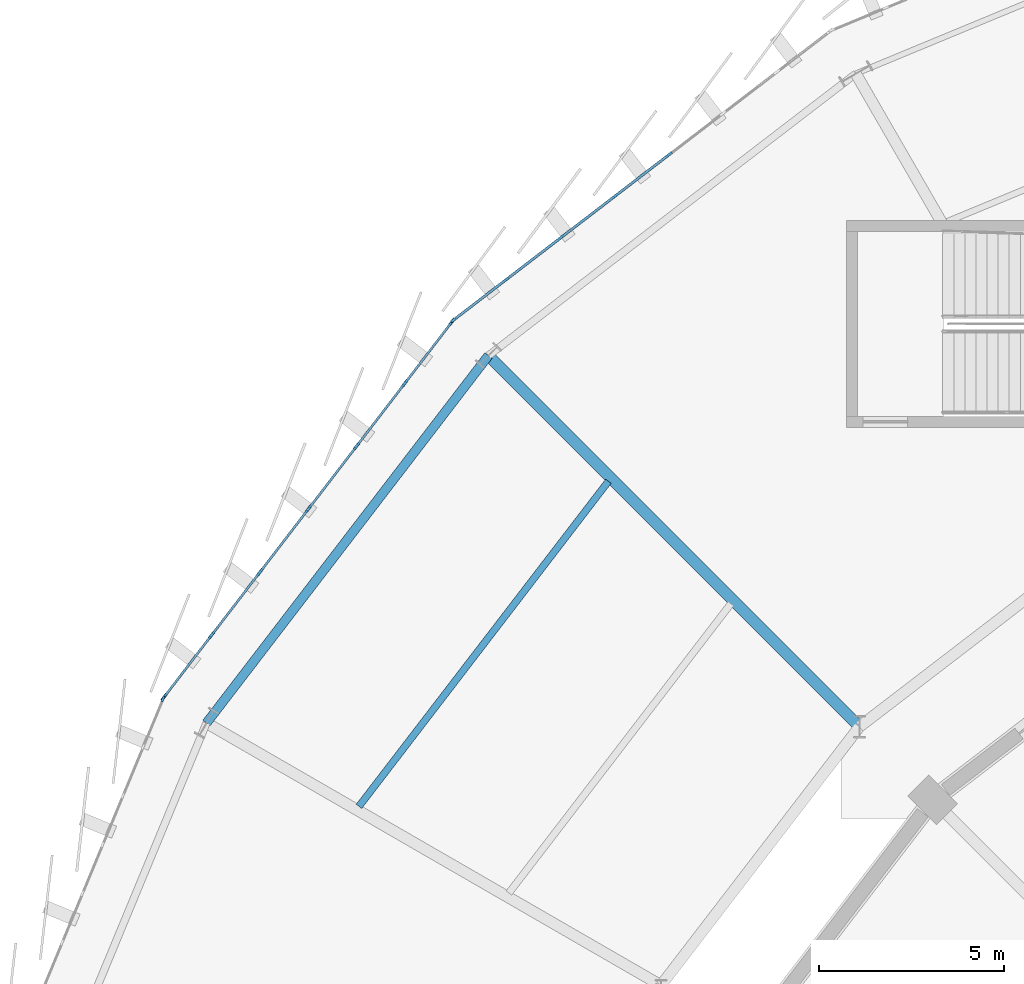
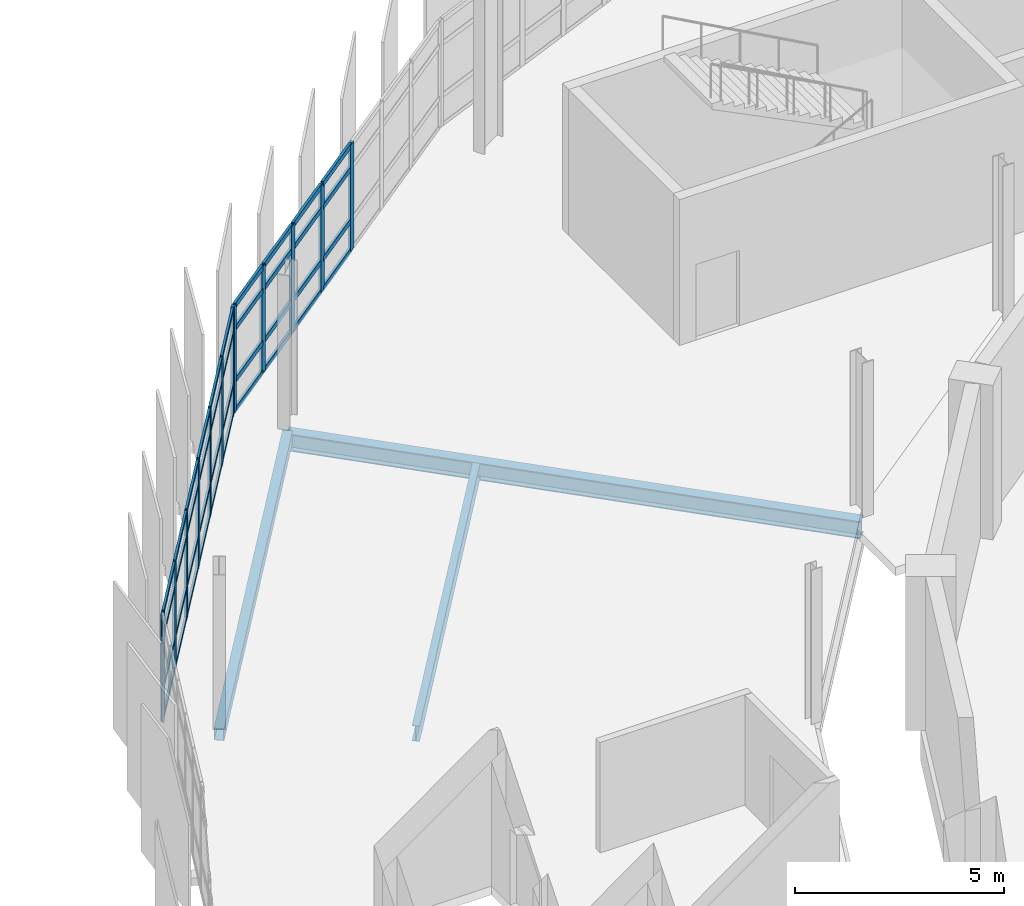
# One storey, part 30 of 87: 53 members, 3 beams, 3 elements without a shape of their own.
"""IFC4 building model written with IfcOpenShell, lengths in metres."""

from ifc_helpers import new_model, si_unit, direction, frame, origin, origin_2d, place, context, subcontext, project, spatial, rectangle, hollow_rectangle, i_section, extrude, material, layer, layer_set, material_profile, profile_set, type_object, element, aggregate, save


model = new_model("IFC4")

# Units and contexts
model_context = context("Model", 3, precision=1e-05, world=origin(), true_north=direction((0.0, 1.0)))
body_context = subcontext(model_context, "Body", "Model", "MODEL_VIEW")
ifc_project = project(units=[si_unit("LENGTHUNIT", "METRE"), si_unit("AREAUNIT", "SQUARE_METRE"), si_unit("VOLUMEUNIT", "CUBIC_METRE"), si_unit("PLANEANGLEUNIT", "RADIAN"), si_unit("MASSUNIT", "GRAM", prefix="KILO")], contexts=[model_context])

# Site, building, storey
site_placement = place(None, origin())
site = spatial("IfcSite", under=ifc_project, at=site_placement, CompositionType="ELEMENT")
building_placement = place(site_placement, origin())
building = spatial("IfcBuilding", under=site, at=building_placement, Name="Sohan Crest Arena", CompositionType="ELEMENT")
storey_placement = place(building_placement, frame((0.0, 0.0, 18.0)))
storey = spatial("IfcBuildingStorey", under=building, at=storey_placement, Name="L04", CompositionType="ELEMENT", Elevation=18.0)

# Curtain wall, member
ifc_material_1 = material(Name="Thermally broken anodised aluminium", Category="aluminium")
ifc_layer_1 = layer(ifc_material_1, 0.18994140625, Name="Thermally broken anodised aluminium")
ifc_layer_set_1 = layer_set([ifc_layer_1], Name="Thermally broken anodised aluminium")
curtain_wall_type_1 = type_object("IfcCurtainWallType", Name="ARC-CW05", PredefinedType="NOTDEFINED", material=ifc_layer_set_1)
curtain_wall_1_placement = place(storey_placement, origin())
curtain_wall_1 = element("IfcCurtainWall", 1, at=curtain_wall_1_placement, inside=storey, type_object=curtain_wall_type_1, Name="Unitised curtain wall CW-116", PredefinedType="NOTDEFINED")
ifc_material_profile_1 = material_profile(ifc_material_1, rectangle(XDim=0.06005859375, YDim=0.159912109375, at=origin_2d()), Name="ALU-MULL 60x160")
ifc_profile_set_1 = profile_set([ifc_material_profile_1], Name="Thermally broken anodised aluminium")
member_type_1 = type_object("IfcMemberType", Name="ARC-CW-ML01", PredefinedType="MULLION", material=ifc_profile_set_1)
member_1_placement = place(storey_placement, frame((55.25048828125, 102.647216796875, 0.0), z_axis=(0.0, 0.0, 1.0), x_axis=(0.923878704229, -0.382685432009, 0.0)))
member_1 = element("IfcMember", 2, at=member_1_placement, type_object=member_type_1, Name="CW-116 mullion 1", PredefinedType="MULLION", context=body_context, shape_type="SweptSolid", body=[
    extrude(rectangle(XDim=0.06005859375, YDim=0.159912109375, at=origin_2d()), origin(), (0.0, 0.0, 1.0), 3.1201171875),
])
aggregate(curtain_wall_1, [member_1])

# Curtain wall, members
ifc_layer_2 = layer(ifc_material_1, 0.219970703125, Name="Thermally broken anodised aluminium")
ifc_layer_set_2 = layer_set([ifc_layer_2], Name="Thermally broken anodised aluminium")
curtain_wall_type_2 = type_object("IfcCurtainWallType", Name="ARC-CW03", PredefinedType="NOTDEFINED", material=ifc_layer_set_2)
curtain_wall_2_placement = place(storey_placement, origin())
curtain_wall_2 = element("IfcCurtainWall", 3, at=curtain_wall_2_placement, inside=storey, type_object=curtain_wall_type_2, Name="Unitised curtain wall CW-114", PredefinedType="NOTDEFINED")
ifc_material_profile_2 = material_profile(ifc_material_1, rectangle(XDim=0.070068359375, YDim=0.199951171875, at=origin_2d()), Name="ALU-MULL 70x200")
ifc_profile_set_2 = profile_set([ifc_material_profile_2], Name="Thermally broken anodised aluminium")
member_type_2 = type_object("IfcMemberType", Name="ARC-CW-ML03", PredefinedType="MULLION", material=ifc_profile_set_2)
member_2_placement = place(storey_placement, frame((68.944580078125, 117.377197265625, 0.0), z_axis=(0.0, 0.0, 1.0), x_axis=(0.60871994181, -0.793385172815, 0.0)))
member_2 = element("IfcMember", 4, at=member_2_placement, type_object=member_type_2, Name="CW-114 mullion 4", PredefinedType="MULLION", context=body_context, shape_type="SweptSolid", body=[
    extrude(rectangle(XDim=0.070068359375, YDim=0.199951171875, at=origin_2d()), origin(), (0.0, 0.0, 1.0), 3.1201171875),
])
member_3_placement = place(storey_placement, frame((67.484375, 116.2568359375, 0.0), z_axis=(0.0, 0.0, 1.0), x_axis=(0.60871994181, -0.793385172815, 0.0)))
member_3 = element("IfcMember", 5, at=member_3_placement, type_object=member_type_2, Name="CW-114 mullion 5", PredefinedType="MULLION", context=body_context, shape_type="SweptSolid", body=[
    extrude(rectangle(XDim=0.070068359375, YDim=0.199951171875, at=origin_2d()), origin(), (0.0, 0.0, 1.0), 3.1201171875),
])
member_4_placement = place(storey_placement, frame((66.024169921875, 115.136474609375, 0.0), z_axis=(0.0, 0.0, 1.0), x_axis=(0.60871994181, -0.793385172815, 0.0)))
member_4 = element("IfcMember", 6, at=member_4_placement, type_object=member_type_2, Name="CW-114 mullion 6", PredefinedType="MULLION", context=body_context, shape_type="SweptSolid", body=[
    extrude(rectangle(XDim=0.070068359375, YDim=0.199951171875, at=origin_2d()), origin(), (0.0, 0.0, 1.0), 3.1201171875),
])
member_5_placement = place(storey_placement, frame((64.564208984375, 114.016357421875, 0.0), z_axis=(0.0, 0.0, 1.0), x_axis=(0.60871994181, -0.793385172815, 0.0)))
member_5 = element("IfcMember", 7, at=member_5_placement, type_object=member_type_2, Name="CW-114 mullion 7", PredefinedType="MULLION", context=body_context, shape_type="SweptSolid", body=[
    extrude(rectangle(XDim=0.070068359375, YDim=0.199951171875, at=origin_2d()), origin(), (0.0, 0.0, 1.0), 3.1201171875),
])
member_6_placement = place(storey_placement, frame((63.1318359375, 112.917236328125, 0.0), z_axis=(0.0, 0.0, 1.0), x_axis=(0.60871994181, -0.793385172815, 0.0)))
member_6 = element("IfcMember", 8, at=member_6_placement, type_object=member_type_2, Name="CW-114 mullion 8", PredefinedType="MULLION", context=body_context, shape_type="SweptSolid", body=[
    extrude(rectangle(XDim=0.070068359375, YDim=0.199951171875, at=origin_2d()), origin(), (0.0, 0.0, 1.0), 3.1201171875),
])

ifc_layer_3 = layer(ifc_material_1, 0.239990234375, Name="Thermally broken anodised aluminium")
ifc_layer_set_3 = layer_set([ifc_layer_3], Name="Thermally broken anodised aluminium")
curtain_wall_type_3 = type_object("IfcCurtainWallType", Name="ARC-CW04", PredefinedType="NOTDEFINED", material=ifc_layer_set_3)
curtain_wall_3_placement = place(storey_placement, origin())
curtain_wall_3 = element("IfcCurtainWall", 9, at=curtain_wall_3_placement, inside=storey, type_object=curtain_wall_type_3, Name="Unitised curtain wall CW-115", PredefinedType="NOTDEFINED")
ifc_material_profile_3 = material_profile(ifc_material_1, rectangle(XDim=0.074951171875, YDim=0.219970703125, at=origin_2d()), Name="ALU-MULL 75x220")
ifc_profile_set_3 = profile_set([ifc_material_profile_3], Name="Thermally broken anodised aluminium")
member_type_3 = type_object("IfcMemberType", Name="ARC-CW-ML04", PredefinedType="MULLION", material=ifc_profile_set_3)
member_7_placement = place(storey_placement, frame((63.0810546875, 112.8662109375, 0.0), z_axis=(0.0, 0.0, 1.0), x_axis=(0.793385172815, -0.60871994181, 0.0)))
member_7 = element("IfcMember", 10, at=member_7_placement, type_object=member_type_3, Name="CW-115 mullion 1", PredefinedType="MULLION", context=body_context, shape_type="SweptSolid", body=[
    extrude(rectangle(XDim=0.074951171875, YDim=0.219970703125, at=origin_2d()), origin(), (0.0, 0.0, 1.0), 3.1201171875),
])
member_8_placement = place(storey_placement, frame((61.797119140625, 111.1923828125, 0.0), z_axis=(0.0, 0.0, 1.0), x_axis=(0.793385172815, -0.60871994181, 0.0)))
member_8 = element("IfcMember", 11, at=member_8_placement, type_object=member_type_3, Name="CW-115 mullion 2", PredefinedType="MULLION", context=body_context, shape_type="SweptSolid", body=[
    extrude(rectangle(XDim=0.074951171875, YDim=0.219970703125, at=origin_2d()), origin(), (0.0, 0.0, 1.0), 3.1201171875),
])
member_9_placement = place(storey_placement, frame((60.489990234375, 109.489013671875, 0.0), z_axis=(0.0, 0.0, 1.0), x_axis=(0.793385172815, -0.60871994181, 0.0)))
member_9 = element("IfcMember", 12, at=member_9_placement, type_object=member_type_3, Name="CW-115 mullion 3", PredefinedType="MULLION", context=body_context, shape_type="SweptSolid", body=[
    extrude(rectangle(XDim=0.074951171875, YDim=0.219970703125, at=origin_2d()), origin(), (0.0, 0.0, 1.0), 3.1201171875),
])
member_10_placement = place(storey_placement, frame((59.18310546875, 107.785400390625, 0.0), z_axis=(0.0, 0.0, 1.0), x_axis=(0.793385172815, -0.60871994181, 0.0)))
member_10 = element("IfcMember", 13, at=member_10_placement, type_object=member_type_3, Name="CW-115 mullion 4", PredefinedType="MULLION", context=body_context, shape_type="SweptSolid", body=[
    extrude(rectangle(XDim=0.074951171875, YDim=0.219970703125, at=origin_2d()), origin(), (0.0, 0.0, 1.0), 3.1201171875),
])
member_11_placement = place(storey_placement, frame((57.8759765625, 106.08203125, 0.0), z_axis=(0.0, 0.0, 1.0), x_axis=(0.793385172815, -0.60871994181, 0.0)))
member_11 = element("IfcMember", 14, at=member_11_placement, type_object=member_type_3, Name="CW-115 mullion 5", PredefinedType="MULLION", context=body_context, shape_type="SweptSolid", body=[
    extrude(rectangle(XDim=0.074951171875, YDim=0.219970703125, at=origin_2d()), origin(), (0.0, 0.0, 1.0), 3.1201171875),
])
member_12_placement = place(storey_placement, frame((56.569091796875, 104.37841796875, 0.0), z_axis=(0.0, 0.0, 1.0), x_axis=(0.793385172815, -0.60871994181, 0.0)))
member_12 = element("IfcMember", 15, at=member_12_placement, type_object=member_type_3, Name="CW-115 mullion 6", PredefinedType="MULLION", context=body_context, shape_type="SweptSolid", body=[
    extrude(rectangle(XDim=0.074951171875, YDim=0.219970703125, at=origin_2d()), origin(), (0.0, 0.0, 1.0), 3.1201171875),
])
member_13_placement = place(storey_placement, frame((55.284912109375, 102.704833984375, 0.0), z_axis=(0.0, 0.0, 1.0), x_axis=(0.793385172815, -0.60871994181, 0.0)))
member_13 = element("IfcMember", 16, at=member_13_placement, type_object=member_type_3, Name="CW-115 mullion 7", PredefinedType="MULLION", context=body_context, shape_type="SweptSolid", body=[
    extrude(rectangle(XDim=0.074951171875, YDim=0.219970703125, at=origin_2d()), origin(), (0.0, 0.0, 1.0), 3.1201171875),
])
ifc_material_profile_4 = material_profile(ifc_material_1, rectangle(XDim=0.06005859375, YDim=0.1201171875, at=origin_2d()), Name="ALU-TRAN 60x120")
ifc_profile_set_4 = profile_set([ifc_material_profile_4], Name="Thermally broken anodised aluminium")
member_type_4 = type_object("IfcMemberType", Name="ARC-CW-TR01", PredefinedType="USERDEFINED", material=ifc_profile_set_4)
member_14_placement = place(storey_placement, frame((63.058349609375, 112.83642578125, 0.030029296875), z_axis=(-0.60871867817, -0.793386142334, 0.0), x_axis=(0.793386142334, -0.60871867817, 0.0)))
member_14 = element("IfcMember", 17, at=member_14_placement, type_object=member_type_4, Name="CW-115 transom 1.1", ObjectType="TRANSOM", PredefinedType="USERDEFINED", context=body_context, shape_type="SweptSolid", body=[
    extrude(rectangle(XDim=0.06005859375, YDim=0.1201171875, at=origin_2d()), origin(), (0.0, 0.0, 1.0), 2.03466796875),
])
member_15_placement = place(storey_placement, frame((63.058349609375, 112.83642578125, 0.89990234375), z_axis=(-0.60871867817, -0.793386142334, 0.0), x_axis=(0.793386142334, -0.60871867817, 0.0)))
member_15 = element("IfcMember", 18, at=member_15_placement, type_object=member_type_4, Name="CW-115 transom 1.2", ObjectType="TRANSOM", PredefinedType="USERDEFINED", context=body_context, shape_type="SweptSolid", body=[
    extrude(rectangle(XDim=0.06005859375, YDim=0.1201171875, at=origin_2d()), origin(), (0.0, 0.0, 1.0), 2.03466796875),
])
member_16_placement = place(storey_placement, frame((63.058349609375, 112.83642578125, 2.419921875), z_axis=(-0.60871867817, -0.793386142334, 0.0), x_axis=(0.793386142334, -0.60871867817, 0.0)))
member_16 = element("IfcMember", 19, at=member_16_placement, type_object=member_type_4, Name="CW-115 transom 1.3", ObjectType="TRANSOM", PredefinedType="USERDEFINED", context=body_context, shape_type="SweptSolid", body=[
    extrude(rectangle(XDim=0.06005859375, YDim=0.1201171875, at=origin_2d()), origin(), (0.0, 0.0, 1.0), 2.03466796875),
])
member_17_placement = place(storey_placement, frame((63.058349609375, 112.83642578125, 3.090087890625), z_axis=(-0.60871867817, -0.793386142334, 0.0), x_axis=(0.793386142334, -0.60871867817, 0.0)))
member_17 = element("IfcMember", 20, at=member_17_placement, type_object=member_type_4, Name="CW-115 transom 1.4", ObjectType="TRANSOM", PredefinedType="USERDEFINED", context=body_context, shape_type="SweptSolid", body=[
    extrude(rectangle(XDim=0.06005859375, YDim=0.1201171875, at=origin_2d()), origin(), (0.0, 0.0, 1.0), 2.03466796875),
])
member_18_placement = place(storey_placement, frame((61.774169921875, 111.162841796875, 0.030029296875), z_axis=(-0.608673922407, -0.793420478802, 0.0), x_axis=(0.793420478802, -0.608673922407, 0.0)))
member_18 = element("IfcMember", 21, at=member_18_placement, type_object=member_type_4, Name="CW-115 transom 2.1", ObjectType="TRANSOM", PredefinedType="USERDEFINED", context=body_context, shape_type="SweptSolid", body=[
    extrude(rectangle(XDim=0.06005859375, YDim=0.1201171875, at=origin_2d()), origin(), (0.0, 0.0, 1.0), 2.072021484375),
])
member_19_placement = place(storey_placement, frame((61.774169921875, 111.162841796875, 0.89990234375), z_axis=(-0.608673922407, -0.793420478802, 0.0), x_axis=(0.793420478802, -0.608673922407, 0.0)))
member_19 = element("IfcMember", 22, at=member_19_placement, type_object=member_type_4, Name="CW-115 transom 2.2", ObjectType="TRANSOM", PredefinedType="USERDEFINED", context=body_context, shape_type="SweptSolid", body=[
    extrude(rectangle(XDim=0.06005859375, YDim=0.1201171875, at=origin_2d()), origin(), (0.0, 0.0, 1.0), 2.072021484375),
])
member_20_placement = place(storey_placement, frame((61.774169921875, 111.162841796875, 2.419921875), z_axis=(-0.608673922407, -0.793420478802, 0.0), x_axis=(0.793420478802, -0.608673922407, 0.0)))
member_20 = element("IfcMember", 23, at=member_20_placement, type_object=member_type_4, Name="CW-115 transom 2.3", ObjectType="TRANSOM", PredefinedType="USERDEFINED", context=body_context, shape_type="SweptSolid", body=[
    extrude(rectangle(XDim=0.06005859375, YDim=0.1201171875, at=origin_2d()), origin(), (0.0, 0.0, 1.0), 2.072021484375),
])
member_21_placement = place(storey_placement, frame((61.774169921875, 111.162841796875, 3.090087890625), z_axis=(-0.608673922407, -0.793420478802, 0.0), x_axis=(0.793420478802, -0.608673922407, 0.0)))
member_21 = element("IfcMember", 24, at=member_21_placement, type_object=member_type_4, Name="CW-115 transom 2.4", ObjectType="TRANSOM", PredefinedType="USERDEFINED", context=body_context, shape_type="SweptSolid", body=[
    extrude(rectangle(XDim=0.06005859375, YDim=0.1201171875, at=origin_2d()), origin(), (0.0, 0.0, 1.0), 2.072021484375),
])
member_22_placement = place(storey_placement, frame((60.46728515625, 109.459228515625, 0.030029296875), z_axis=(-0.608748085936, -0.793363578613, 0.0), x_axis=(0.793363578613, -0.608748085936, 0.0)))
member_22 = element("IfcMember", 25, at=member_22_placement, type_object=member_type_4, Name="CW-115 transom 3.1", ObjectType="TRANSOM", PredefinedType="USERDEFINED", context=body_context, shape_type="SweptSolid", body=[
    extrude(rectangle(XDim=0.06005859375, YDim=0.1201171875, at=origin_2d()), origin(), (0.0, 0.0, 1.0), 2.072265625),
])
member_23_placement = place(storey_placement, frame((60.46728515625, 109.459228515625, 0.89990234375), z_axis=(-0.608748085936, -0.793363578613, 0.0), x_axis=(0.793363578613, -0.608748085936, 0.0)))
member_23 = element("IfcMember", 26, at=member_23_placement, type_object=member_type_4, Name="CW-115 transom 3.2", ObjectType="TRANSOM", PredefinedType="USERDEFINED", context=body_context, shape_type="SweptSolid", body=[
    extrude(rectangle(XDim=0.06005859375, YDim=0.1201171875, at=origin_2d()), origin(), (0.0, 0.0, 1.0), 2.072265625),
])
member_24_placement = place(storey_placement, frame((60.46728515625, 109.459228515625, 2.419921875), z_axis=(-0.608748085936, -0.793363578613, 0.0), x_axis=(0.793363578613, -0.608748085936, 0.0)))
member_24 = element("IfcMember", 27, at=member_24_placement, type_object=member_type_4, Name="CW-115 transom 3.3", ObjectType="TRANSOM", PredefinedType="USERDEFINED", context=body_context, shape_type="SweptSolid", body=[
    extrude(rectangle(XDim=0.06005859375, YDim=0.1201171875, at=origin_2d()), origin(), (0.0, 0.0, 1.0), 2.072265625),
])
member_25_placement = place(storey_placement, frame((60.46728515625, 109.459228515625, 3.090087890625), z_axis=(-0.608748085936, -0.793363578613, 0.0), x_axis=(0.793363578613, -0.608748085936, 0.0)))
member_25 = element("IfcMember", 28, at=member_25_placement, type_object=member_type_4, Name="CW-115 transom 3.4", ObjectType="TRANSOM", PredefinedType="USERDEFINED", context=body_context, shape_type="SweptSolid", body=[
    extrude(rectangle(XDim=0.06005859375, YDim=0.1201171875, at=origin_2d()), origin(), (0.0, 0.0, 1.0), 2.072265625),
])
member_26_placement = place(storey_placement, frame((59.16015625, 107.755859375, 0.030029296875), z_axis=(-0.608673922407, -0.793420478802, 0.0), x_axis=(0.793420478802, -0.608673922407, 0.0)))
member_26 = element("IfcMember", 29, at=member_26_placement, type_object=member_type_4, Name="CW-115 transom 4.1", ObjectType="TRANSOM", PredefinedType="USERDEFINED", context=body_context, shape_type="SweptSolid", body=[
    extrude(rectangle(XDim=0.06005859375, YDim=0.1201171875, at=origin_2d()), origin(), (0.0, 0.0, 1.0), 2.072021484375),
])
member_27_placement = place(storey_placement, frame((59.16015625, 107.755859375, 0.89990234375), z_axis=(-0.608673922407, -0.793420478802, 0.0), x_axis=(0.793420478802, -0.608673922407, 0.0)))
member_27 = element("IfcMember", 30, at=member_27_placement, type_object=member_type_4, Name="CW-115 transom 4.2", ObjectType="TRANSOM", PredefinedType="USERDEFINED", context=body_context, shape_type="SweptSolid", body=[
    extrude(rectangle(XDim=0.06005859375, YDim=0.1201171875, at=origin_2d()), origin(), (0.0, 0.0, 1.0), 2.072021484375),
])
member_28_placement = place(storey_placement, frame((59.16015625, 107.755859375, 2.419921875), z_axis=(-0.608673922407, -0.793420478802, 0.0), x_axis=(0.793420478802, -0.608673922407, 0.0)))
member_28 = element("IfcMember", 31, at=member_28_placement, type_object=member_type_4, Name="CW-115 transom 4.3", ObjectType="TRANSOM", PredefinedType="USERDEFINED", context=body_context, shape_type="SweptSolid", body=[
    extrude(rectangle(XDim=0.06005859375, YDim=0.1201171875, at=origin_2d()), origin(), (0.0, 0.0, 1.0), 2.072021484375),
])
member_29_placement = place(storey_placement, frame((59.16015625, 107.755859375, 3.090087890625), z_axis=(-0.608673922407, -0.793420478802, 0.0), x_axis=(0.793420478802, -0.608673922407, 0.0)))
member_29 = element("IfcMember", 32, at=member_29_placement, type_object=member_type_4, Name="CW-115 transom 4.4", ObjectType="TRANSOM", PredefinedType="USERDEFINED", context=body_context, shape_type="SweptSolid", body=[
    extrude(rectangle(XDim=0.06005859375, YDim=0.1201171875, at=origin_2d()), origin(), (0.0, 0.0, 1.0), 2.072021484375),
])
member_30_placement = place(storey_placement, frame((57.853271484375, 106.05224609375, 0.030029296875), z_axis=(-0.608748085936, -0.793363578613, 0.0), x_axis=(0.793363578613, -0.608748085936, 0.0)))
member_30 = element("IfcMember", 33, at=member_30_placement, type_object=member_type_4, Name="CW-115 transom 5.1", ObjectType="TRANSOM", PredefinedType="USERDEFINED", context=body_context, shape_type="SweptSolid", body=[
    extrude(rectangle(XDim=0.06005859375, YDim=0.1201171875, at=origin_2d()), origin(), (0.0, 0.0, 1.0), 2.072265625),
])
member_31_placement = place(storey_placement, frame((57.853271484375, 106.05224609375, 0.89990234375), z_axis=(-0.608748085936, -0.793363578613, 0.0), x_axis=(0.793363578613, -0.608748085936, 0.0)))
member_31 = element("IfcMember", 34, at=member_31_placement, type_object=member_type_4, Name="CW-115 transom 5.2", ObjectType="TRANSOM", PredefinedType="USERDEFINED", context=body_context, shape_type="SweptSolid", body=[
    extrude(rectangle(XDim=0.06005859375, YDim=0.1201171875, at=origin_2d()), origin(), (0.0, 0.0, 1.0), 2.072265625),
])
member_32_placement = place(storey_placement, frame((57.853271484375, 106.05224609375, 2.419921875), z_axis=(-0.608748085936, -0.793363578613, 0.0), x_axis=(0.793363578613, -0.608748085936, 0.0)))
member_32 = element("IfcMember", 35, at=member_32_placement, type_object=member_type_4, Name="CW-115 transom 5.3", ObjectType="TRANSOM", PredefinedType="USERDEFINED", context=body_context, shape_type="SweptSolid", body=[
    extrude(rectangle(XDim=0.06005859375, YDim=0.1201171875, at=origin_2d()), origin(), (0.0, 0.0, 1.0), 2.072265625),
])
member_33_placement = place(storey_placement, frame((57.853271484375, 106.05224609375, 3.090087890625), z_axis=(-0.608748085936, -0.793363578613, 0.0), x_axis=(0.793363578613, -0.608748085936, 0.0)))
member_33 = element("IfcMember", 36, at=member_33_placement, type_object=member_type_4, Name="CW-115 transom 5.4", ObjectType="TRANSOM", PredefinedType="USERDEFINED", context=body_context, shape_type="SweptSolid", body=[
    extrude(rectangle(XDim=0.06005859375, YDim=0.1201171875, at=origin_2d()), origin(), (0.0, 0.0, 1.0), 2.072265625),
])
member_34_placement = place(storey_placement, frame((56.546142578125, 104.3486328125, 0.030029296875), z_axis=(-0.608776632005, -0.793341674391, 0.0), x_axis=(0.793341674391, -0.608776632005, 0.0)))
member_34 = element("IfcMember", 37, at=member_34_placement, type_object=member_type_4, Name="CW-115 transom 6.1", ObjectType="TRANSOM", PredefinedType="USERDEFINED", context=body_context, shape_type="SweptSolid", body=[
    extrude(rectangle(XDim=0.06005859375, YDim=0.1201171875, at=origin_2d()), origin(), (0.0, 0.0, 1.0), 2.034423828125),
])
member_35_placement = place(storey_placement, frame((56.546142578125, 104.3486328125, 0.89990234375), z_axis=(-0.608776632005, -0.793341674391, 0.0), x_axis=(0.793341674391, -0.608776632005, 0.0)))
member_35 = element("IfcMember", 38, at=member_35_placement, type_object=member_type_4, Name="CW-115 transom 6.2", ObjectType="TRANSOM", PredefinedType="USERDEFINED", context=body_context, shape_type="SweptSolid", body=[
    extrude(rectangle(XDim=0.06005859375, YDim=0.1201171875, at=origin_2d()), origin(), (0.0, 0.0, 1.0), 2.034423828125),
])
member_36_placement = place(storey_placement, frame((56.546142578125, 104.3486328125, 2.419921875), z_axis=(-0.608776632005, -0.793341674391, 0.0), x_axis=(0.793341674391, -0.608776632005, 0.0)))
member_36 = element("IfcMember", 39, at=member_36_placement, type_object=member_type_4, Name="CW-115 transom 6.3", ObjectType="TRANSOM", PredefinedType="USERDEFINED", context=body_context, shape_type="SweptSolid", body=[
    extrude(rectangle(XDim=0.06005859375, YDim=0.1201171875, at=origin_2d()), origin(), (0.0, 0.0, 1.0), 2.034423828125),
])
member_37_placement = place(storey_placement, frame((56.546142578125, 104.3486328125, 3.090087890625), z_axis=(-0.608776632005, -0.793341674391, 0.0), x_axis=(0.793341674391, -0.608776632005, 0.0)))
member_37 = element("IfcMember", 40, at=member_37_placement, type_object=member_type_4, Name="CW-115 transom 6.4", ObjectType="TRANSOM", PredefinedType="USERDEFINED", context=body_context, shape_type="SweptSolid", body=[
    extrude(rectangle(XDim=0.06005859375, YDim=0.1201171875, at=origin_2d()), origin(), (0.0, 0.0, 1.0), 2.034423828125),
])
aggregate(curtain_wall_3, [member_7, member_8, member_9, member_10, member_11, member_12, member_13, member_14, member_15, member_16, member_17, member_18, member_19, member_20, member_21, member_22, member_23, member_24, member_25, member_26, member_27, member_28, member_29, member_30, member_31, member_32, member_33, member_34, member_35, member_36, member_37])

# Member
ifc_material_profile_5 = material_profile(ifc_material_1, rectangle(XDim=0.070068359375, YDim=0.14990234375, at=origin_2d()), Name="ALU-TRAN 70x150")
ifc_profile_set_5 = profile_set([ifc_material_profile_5], Name="Thermally broken anodised aluminium")
member_type_5 = type_object("IfcMemberType", Name="ARC-CW-TR03", PredefinedType="USERDEFINED", material=ifc_profile_set_5)
member_38_placement = place(storey_placement, frame((68.916748046875, 117.35595703125, 0.034912109375), z_axis=(-0.793315521511, -0.608810712232, 0.0), x_axis=(0.608810712232, -0.793315521511, 0.0)))
member_38 = element("IfcMember", 41, at=member_38_placement, type_object=member_type_5, Name="CW-114 transom 4.1", ObjectType="TRANSOM", PredefinedType="USERDEFINED", context=body_context, shape_type="SweptSolid", body=[
    extrude(rectangle(XDim=0.070068359375, YDim=0.14990234375, at=origin_2d()), origin(), (0.0, 0.0, 1.0), 1.7705078125),
])

member_39_placement = place(storey_placement, frame((68.916748046875, 117.35595703125, 0.89990234375), z_axis=(-0.793315521511, -0.608810712232, 0.0), x_axis=(0.608810712232, -0.793315521511, 0.0)))
member_39 = element("IfcMember", 42, at=member_39_placement, type_object=member_type_5, Name="CW-114 transom 4.2", ObjectType="TRANSOM", PredefinedType="USERDEFINED", context=body_context, shape_type="SweptSolid", body=[
    extrude(rectangle(XDim=0.070068359375, YDim=0.14990234375, at=origin_2d()), origin(), (0.0, 0.0, 1.0), 1.7705078125),
])

member_40_placement = place(storey_placement, frame((68.916748046875, 117.35595703125, 2.419921875), z_axis=(-0.793315521511, -0.608810712232, 0.0), x_axis=(0.608810712232, -0.793315521511, 0.0)))
member_40 = element("IfcMember", 43, at=member_40_placement, type_object=member_type_5, Name="CW-114 transom 4.3", ObjectType="TRANSOM", PredefinedType="USERDEFINED", context=body_context, shape_type="SweptSolid", body=[
    extrude(rectangle(XDim=0.070068359375, YDim=0.14990234375, at=origin_2d()), origin(), (0.0, 0.0, 1.0), 1.7705078125),
])

member_41_placement = place(storey_placement, frame((68.916748046875, 117.35595703125, 3.0849609375), z_axis=(-0.793315521511, -0.608810712232, 0.0), x_axis=(0.608810712232, -0.793315521511, 0.0)))
member_41 = element("IfcMember", 44, at=member_41_placement, type_object=member_type_5, Name="CW-114 transom 4.4", ObjectType="TRANSOM", PredefinedType="USERDEFINED", context=body_context, shape_type="SweptSolid", body=[
    extrude(rectangle(XDim=0.070068359375, YDim=0.14990234375, at=origin_2d()), origin(), (0.0, 0.0, 1.0), 1.7705078125),
])

member_42_placement = place(storey_placement, frame((67.45654296875, 116.235595703125, 0.034912109375), z_axis=(-0.793382123212, -0.60872391654, 0.0), x_axis=(0.60872391654, -0.793382123212, 0.0)))
member_42 = element("IfcMember", 45, at=member_42_placement, type_object=member_type_5, Name="CW-114 transom 5.1", ObjectType="TRANSOM", PredefinedType="USERDEFINED", context=body_context, shape_type="SweptSolid", body=[
    extrude(rectangle(XDim=0.070068359375, YDim=0.14990234375, at=origin_2d()), origin(), (0.0, 0.0, 1.0), 1.770263671875),
])

member_43_placement = place(storey_placement, frame((67.45654296875, 116.235595703125, 0.89990234375), z_axis=(-0.793382123212, -0.60872391654, 0.0), x_axis=(0.60872391654, -0.793382123212, 0.0)))
member_43 = element("IfcMember", 46, at=member_43_placement, type_object=member_type_5, Name="CW-114 transom 5.2", ObjectType="TRANSOM", PredefinedType="USERDEFINED", context=body_context, shape_type="SweptSolid", body=[
    extrude(rectangle(XDim=0.070068359375, YDim=0.14990234375, at=origin_2d()), origin(), (0.0, 0.0, 1.0), 1.770263671875),
])

member_44_placement = place(storey_placement, frame((67.45654296875, 116.235595703125, 2.419921875), z_axis=(-0.793382123212, -0.60872391654, 0.0), x_axis=(0.60872391654, -0.793382123212, 0.0)))
member_44 = element("IfcMember", 47, at=member_44_placement, type_object=member_type_5, Name="CW-114 transom 5.3", ObjectType="TRANSOM", PredefinedType="USERDEFINED", context=body_context, shape_type="SweptSolid", body=[
    extrude(rectangle(XDim=0.070068359375, YDim=0.14990234375, at=origin_2d()), origin(), (0.0, 0.0, 1.0), 1.770263671875),
])

member_45_placement = place(storey_placement, frame((67.45654296875, 116.235595703125, 3.0849609375), z_axis=(-0.793382123212, -0.60872391654, 0.0), x_axis=(0.60872391654, -0.793382123212, 0.0)))
member_45 = element("IfcMember", 48, at=member_45_placement, type_object=member_type_5, Name="CW-114 transom 5.4", ObjectType="TRANSOM", PredefinedType="USERDEFINED", context=body_context, shape_type="SweptSolid", body=[
    extrude(rectangle(XDim=0.070068359375, YDim=0.14990234375, at=origin_2d()), origin(), (0.0, 0.0, 1.0), 1.770263671875),
])

member_46_placement = place(storey_placement, frame((65.99658203125, 115.115234375, 0.034912109375), z_axis=(-0.793433215752, -0.608657319139, 0.0), x_axis=(0.608657319139, -0.793433215752, 0.0)))
member_46 = element("IfcMember", 49, at=member_46_placement, type_object=member_type_5, Name="CW-114 transom 6.1", ObjectType="TRANSOM", PredefinedType="USERDEFINED", context=body_context, shape_type="SweptSolid", body=[
    extrude(rectangle(XDim=0.070068359375, YDim=0.14990234375, at=origin_2d()), origin(), (0.0, 0.0, 1.0), 1.7705078125),
])

member_47_placement = place(storey_placement, frame((65.99658203125, 115.115234375, 0.89990234375), z_axis=(-0.793433215752, -0.608657319139, 0.0), x_axis=(0.608657319139, -0.793433215752, 0.0)))
member_47 = element("IfcMember", 50, at=member_47_placement, type_object=member_type_5, Name="CW-114 transom 6.2", ObjectType="TRANSOM", PredefinedType="USERDEFINED", context=body_context, shape_type="SweptSolid", body=[
    extrude(rectangle(XDim=0.070068359375, YDim=0.14990234375, at=origin_2d()), origin(), (0.0, 0.0, 1.0), 1.7705078125),
])

member_48_placement = place(storey_placement, frame((65.99658203125, 115.115234375, 2.419921875), z_axis=(-0.793433215752, -0.608657319139, 0.0), x_axis=(0.608657319139, -0.793433215752, 0.0)))
member_48 = element("IfcMember", 51, at=member_48_placement, type_object=member_type_5, Name="CW-114 transom 6.3", ObjectType="TRANSOM", PredefinedType="USERDEFINED", context=body_context, shape_type="SweptSolid", body=[
    extrude(rectangle(XDim=0.070068359375, YDim=0.14990234375, at=origin_2d()), origin(), (0.0, 0.0, 1.0), 1.7705078125),
])

member_49_placement = place(storey_placement, frame((65.99658203125, 115.115234375, 3.0849609375), z_axis=(-0.793433215752, -0.608657319139, 0.0), x_axis=(0.608657319139, -0.793433215752, 0.0)))
member_49 = element("IfcMember", 52, at=member_49_placement, type_object=member_type_5, Name="CW-114 transom 6.4", ObjectType="TRANSOM", PredefinedType="USERDEFINED", context=body_context, shape_type="SweptSolid", body=[
    extrude(rectangle(XDim=0.070068359375, YDim=0.14990234375, at=origin_2d()), origin(), (0.0, 0.0, 1.0), 1.7705078125),
])

member_50_placement = place(storey_placement, frame((64.536376953125, 113.994873046875, 0.034912109375), z_axis=(-0.793470479342, -0.608608740006, 0.0), x_axis=(0.608608740006, -0.793470479342, 0.0)))
member_50 = element("IfcMember", 53, at=member_50_placement, type_object=member_type_5, Name="CW-114 transom 7.1", ObjectType="TRANSOM", PredefinedType="USERDEFINED", context=body_context, shape_type="SweptSolid", body=[
    extrude(rectangle(XDim=0.070068359375, YDim=0.14990234375, at=origin_2d()), origin(), (0.0, 0.0, 1.0), 1.7353515625),
])

member_51_placement = place(storey_placement, frame((64.536376953125, 113.994873046875, 0.89990234375), z_axis=(-0.793470479342, -0.608608740006, 0.0), x_axis=(0.608608740006, -0.793470479342, 0.0)))
member_51 = element("IfcMember", 54, at=member_51_placement, type_object=member_type_5, Name="CW-114 transom 7.2", ObjectType="TRANSOM", PredefinedType="USERDEFINED", context=body_context, shape_type="SweptSolid", body=[
    extrude(rectangle(XDim=0.070068359375, YDim=0.14990234375, at=origin_2d()), origin(), (0.0, 0.0, 1.0), 1.7353515625),
])

member_52_placement = place(storey_placement, frame((64.536376953125, 113.994873046875, 2.419921875), z_axis=(-0.793470479342, -0.608608740006, 0.0), x_axis=(0.608608740006, -0.793470479342, 0.0)))
member_52 = element("IfcMember", 55, at=member_52_placement, type_object=member_type_5, Name="CW-114 transom 7.3", ObjectType="TRANSOM", PredefinedType="USERDEFINED", context=body_context, shape_type="SweptSolid", body=[
    extrude(rectangle(XDim=0.070068359375, YDim=0.14990234375, at=origin_2d()), origin(), (0.0, 0.0, 1.0), 1.7353515625),
])

member_53_placement = place(storey_placement, frame((64.536376953125, 113.994873046875, 3.0849609375), z_axis=(-0.793470479342, -0.608608740006, 0.0), x_axis=(0.608608740006, -0.793470479342, 0.0)))
member_53 = element("IfcMember", 56, at=member_53_placement, type_object=member_type_5, Name="CW-114 transom 7.4", ObjectType="TRANSOM", PredefinedType="USERDEFINED", context=body_context, shape_type="SweptSolid", body=[
    extrude(rectangle(XDim=0.070068359375, YDim=0.14990234375, at=origin_2d()), origin(), (0.0, 0.0, 1.0), 1.7353515625),
])

aggregate(curtain_wall_2, [member_2, member_3, member_4, member_5, member_6, member_38, member_39, member_40, member_41, member_42, member_43, member_44, member_45, member_46, member_47, member_48, member_49, member_50, member_51, member_52, member_53])

# Beams
ifc_material_2 = material(Name="Steel S355", Category="steel")
ifc_material_profile_6 = material_profile(ifc_material_2, i_section(OverallWidth=0.18994140625, OverallDepth=0.449951171875, WebThickness=0.009521484375, FlangeThickness=0.0146484375, at=origin_2d()), Name="IPE 450")
ifc_profile_set_6 = profile_set([ifc_material_profile_6], Name="Steel S355")
beam_type_1 = type_object("IfcBeamType", Name="STR-BM-B04", PredefinedType="JOIST", material=ifc_profile_set_6)
beam_1_placement = place(storey_placement, frame((67.305908203125, 108.5400390625, -0.47509765625), z_axis=(-0.608788813613, -0.793332326594, 0.0), x_axis=(0.793332326594, -0.608788813613, 0.0)))
element("IfcBeam", 57, at=beam_1_placement, inside=storey, type_object=beam_type_1, Name="Structural beam J-L04-1569", PredefinedType="JOIST", context=body_context, shape_type="SweptSolid", body=[
    extrude(i_section(OverallWidth=0.18994140625, OverallDepth=0.449951171875, WebThickness=0.009521484375, FlangeThickness=0.0146484375, at=origin_2d()), origin(), (0.0, 0.0, 1.0), 11.087646484375),
])
ifc_material_profile_7 = material_profile(ifc_material_2, i_section(OverallWidth=0.300048828125, OverallDepth=0.5, WebThickness=0.014404296875, FlangeThickness=0.028076171875, at=origin_2d()), Name="HEB 500")
ifc_profile_set_7 = profile_set([ifc_material_profile_7], Name="Steel S355")
beam_type_2 = type_object("IfcBeamType", Name="STR-BM-B14", PredefinedType="BEAM", material=ifc_profile_set_7)
beam_2_placement = place(storey_placement, frame((74.10009765625, 101.89990234375, -0.5), z_axis=(-0.707106781187, 0.707106781187, 0.0), x_axis=(-0.707106781187, -0.707106781187, 0.0)))
element("IfcBeam", 58, at=beam_2_placement, inside=storey, type_object=beam_type_2, Name="Structural beam G-L04-1565", PredefinedType="BEAM", context=body_context, shape_type="SweptSolid", body=[
    extrude(i_section(OverallWidth=0.300048828125, OverallDepth=0.5, WebThickness=0.014404296875, FlangeThickness=0.028076171875, at=origin_2d()), origin(), (0.0, 0.0, 1.0), 14.2001953125),
])
ifc_material_profile_8 = material_profile(ifc_material_2, hollow_rectangle(XDim=0.25, YDim=0.35009765625, WallThickness=0.012451171875, at=origin_2d()), Name="RHS 350x250x12.5")
ifc_profile_set_8 = profile_set([ifc_material_profile_8], Name="Steel S355")
beam_type_3 = type_object("IfcBeamType", Name="STR-BM-SP04", PredefinedType="SPANDREL", material=ifc_profile_set_8)
beam_3_placement = place(storey_placement, frame((64.05908203125, 111.94091796875, -0.425048828125), z_axis=(-0.608773443368, -0.793344121205, 0.0), x_axis=(0.793344121205, -0.608773443368, 0.0)))
element("IfcBeam", 59, at=beam_3_placement, inside=storey, type_object=beam_type_3, Name="Structural beam SP-L04-1567", PredefinedType="SPANDREL", context=body_context, shape_type="SweptSolid", body=[
    extrude(hollow_rectangle(XDim=0.25, YDim=0.35009765625, WallThickness=0.012451171875, at=origin_2d()), origin(), (0.0, 0.0, 1.0), 12.530517578125),
])

save(model, "model.ifc")
